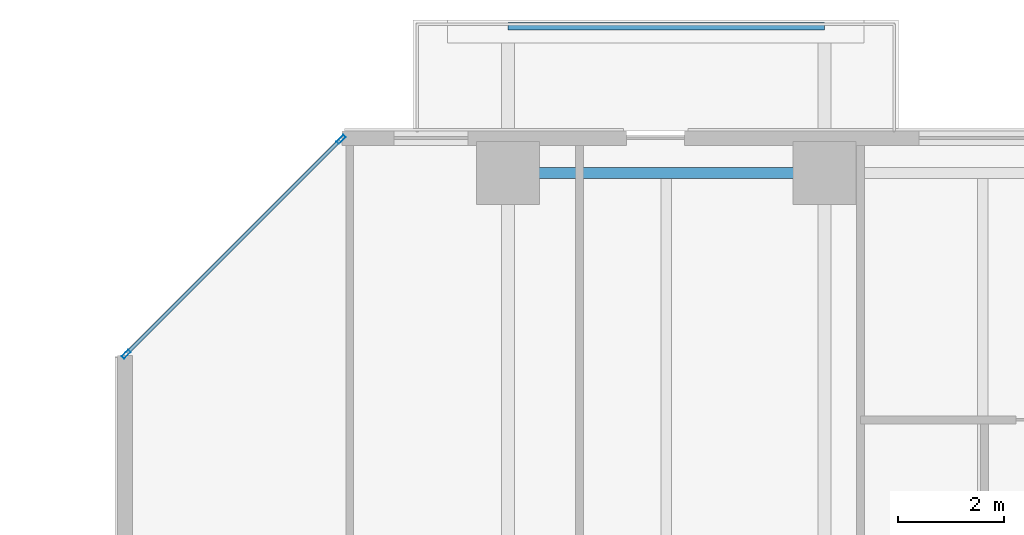
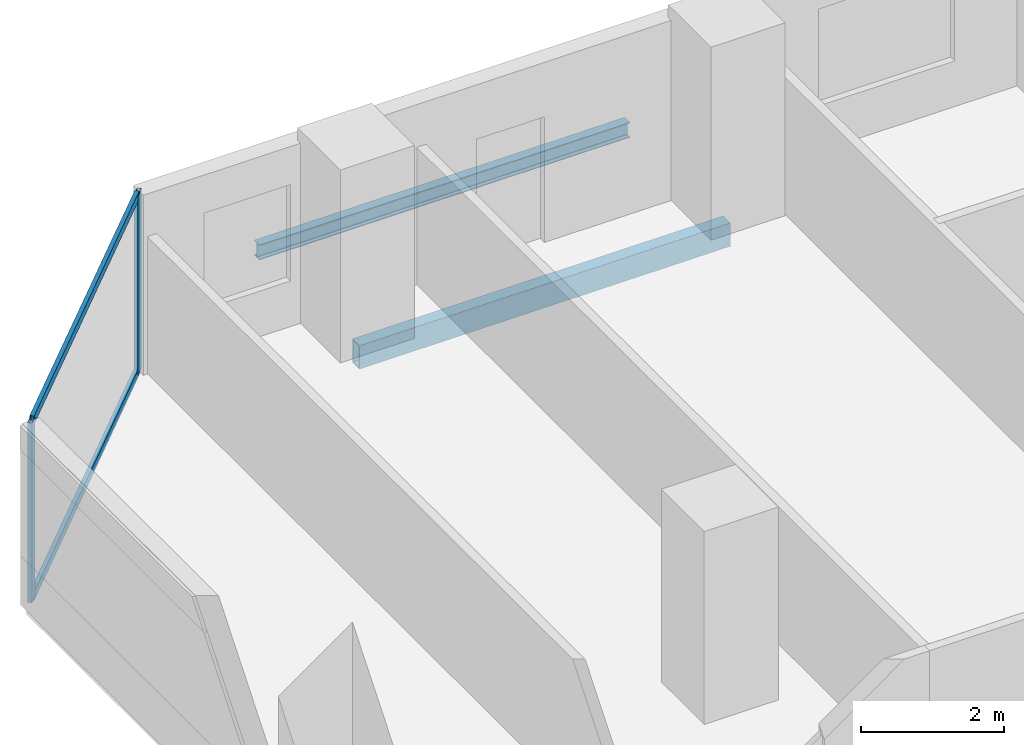
# One storey, part 8 of 33: 4 members, 2 beams, 1 element without a shape of its own.
"""IFC4 building model written with IfcOpenShell, lengths in metres."""

import ifcopenshell
import ifcopenshell.guid

model = None  # the IFC model being written
_history = None  # IfcOwnerHistory: only IFC2X3 demands one
_inside = {}  # id of a spatial element -> (the spatial element, [elements in it])
_under = {}  # id of a project, library or spatial element -> (it, [spatial elements below it])
_declared = {}  # id of a project -> (the project, [libraries it declares])
_typed = {}  # id of a type object -> (the type object, [elements of that type])
_made_of = {}  # id of a material, layer set ... -> (it, [elements and type objects made of it])


def new_model(schema):
    """Start an empty IFC model of exactly this schema.

    Asked for "IFC4X3", IfcOpenShell would pick the latest addendum, in which some entities
    have other attributes; the version numbers below select the first issue.
    IFC2X3 requires an IfcOwnerHistory on every rooted entity: one is made here for all.
    """
    global model, _history
    if schema == "IFC4X3":
        model = ifcopenshell.file(schema_version=(4, 3, 0, 0))
    else:
        model = ifcopenshell.file(schema=schema)
    _inside.clear()
    _under.clear()
    _declared.clear()
    _typed.clear()
    _made_of.clear()
    _history = None
    if model.schema == "IFC2X3":
        org = make("IfcOrganization", Name="unknown")
        user = make(
            "IfcPersonAndOrganization",
            ThePerson=make("IfcPerson", FamilyName="unknown"),
            TheOrganization=org,
        )
        app = make(
            "IfcApplication",
            ApplicationDeveloper=org,
            Version="unknown",
            ApplicationFullName="unknown",
            ApplicationIdentifier="unknown",
        )
        _history = make(
            "IfcOwnerHistory",
            OwningUser=user,
            OwningApplication=app,
            ChangeAction="ADDED",
            CreationDate=0,
        )
    return model


def make(cls, **values):
    """One entity of the class cls with the attributes given. An attribute that is None is left unset."""
    return model.create_entity(
        cls, **{name: value for name, value in values.items() if value is not None}
    )


def rooted(cls, **values):
    """An entity with a GlobalId (a new one), such as an element, a storey or a relation."""
    return make(cls, GlobalId=ifcopenshell.guid.new(), OwnerHistory=_history, **values)


def si_unit(unit_type, name, prefix=None):
    """IfcSIUnit, for example si_unit("LENGTHUNIT", "METRE", prefix="MILLI")."""
    return make("IfcSIUnit", UnitType=unit_type, Prefix=prefix, Name=name)


def assignment(units):
    """IfcUnitAssignment: the units of a project."""
    return None if units is None else make("IfcUnitAssignment", Units=units)


def point(xyz):
    """IfcCartesianPoint."""
    return None if xyz is None else make("IfcCartesianPoint", Coordinates=xyz)


def direction(xyz):
    """IfcDirection."""
    return None if xyz is None else make("IfcDirection", DirectionRatios=xyz)


def frame(location, z_axis=None, x_axis=None):
    """IfcAxis2Placement3D, a coordinate frame: its origin and axes. An axis left out is left unset."""
    return make(
        "IfcAxis2Placement3D",
        Location=point(location),
        Axis=direction(z_axis),
        RefDirection=direction(x_axis),
    )


def frame_2d(location, x_axis=None):
    """IfcAxis2Placement2D, a coordinate frame in the plane: its origin and x axis."""
    return make(
        "IfcAxis2Placement2D", Location=point(location), RefDirection=direction(x_axis)
    )


def origin():
    """The frame at (0, 0, 0) with its axes left unset."""
    return frame((0.0, 0.0, 0.0))


def origin_2d():
    """The frame at (0, 0) in the plane with its x axis left unset."""
    return frame_2d((0.0, 0.0))


def place(relative_to, where):
    """IfcLocalPlacement: puts the frame where relative to a parent placement (None: the world)."""
    return make(
        "IfcLocalPlacement", PlacementRelTo=relative_to, RelativePlacement=where
    )


def context(
    kind, dimensions, precision=None, world=None, true_north=None, identifier=None
):
    """IfcGeometricRepresentationContext, for example the 3D "Model" context."""
    return make(
        "IfcGeometricRepresentationContext",
        ContextIdentifier=identifier,
        ContextType=kind,
        CoordinateSpaceDimension=dimensions,
        Precision=precision,
        WorldCoordinateSystem=world,
        TrueNorth=true_north,
    )


def subcontext(parent, identifier, kind, view, scale=None):
    """IfcGeometricRepresentationSubContext, for example "Body" below "Model"."""
    return make(
        "IfcGeometricRepresentationSubContext",
        ContextIdentifier=identifier,
        ContextType=kind,
        ParentContext=parent,
        TargetScale=scale,
        TargetView=view,
    )


def project(units=None, contexts=None):
    """IfcProject with its units and contexts."""
    return rooted(
        "IfcProject",
        Name="project",
        RepresentationContexts=contexts,
        UnitsInContext=assignment(units),
    )


def spatial(cls, under=None, at=None, **own):
    """A site, building, storey or space (cls), placed at a placement, below another one or the project."""
    s = rooted(cls, ObjectPlacement=at, **own)
    if under is not None:
        _under.setdefault(under.id(), (under, []))[1].append(s)
    return s


def profile(cls, at=None, kind="AREA", **sizes):
    """A parametric profile (cls). Its sizes go by their IFC names, for example OverallWidth=200.0."""
    return make(cls, ProfileType=kind, Position=at, **sizes)


def hollow_rectangle(**sizes):
    """IfcRectangleHollowProfileDef."""
    return profile("IfcRectangleHollowProfileDef", **sizes)


def i_section(**sizes):
    """IfcIShapeProfileDef."""
    return profile("IfcIShapeProfileDef", **sizes)


def extrude(swept, where, along, depth):
    """IfcExtrudedAreaSolid: the profile swept, set in the frame where, extruded along a direction by depth."""
    return make(
        "IfcExtrudedAreaSolid",
        SweptArea=swept,
        Position=where,
        ExtrudedDirection=direction(along),
        Depth=depth,
    )


def shape(context_of_items, identifier, shape_type, items):
    """IfcShapeRepresentation: the items that make up one representation, for example the "Body"."""
    return make(
        "IfcShapeRepresentation",
        ContextOfItems=context_of_items,
        RepresentationIdentifier=identifier,
        RepresentationType=shape_type,
        Items=items,
    )


def material(Name=None, Category=None):
    """IfcMaterial."""
    return make("IfcMaterial", Name=Name, Category=Category)


def layer(
    of_material, thickness, ventilated=None, Name=None, Category=None, Priority=None
):
    """IfcMaterialLayer: one layer of a wall or slab, of a material (None: an air gap)."""
    return make(
        "IfcMaterialLayer",
        Material=of_material,
        LayerThickness=thickness,
        IsVentilated=ventilated,
        Name=Name,
        Category=Category,
        Priority=Priority,
    )


def layer_set(layers, Name=None):
    """IfcMaterialLayerSet."""
    return make("IfcMaterialLayerSet", MaterialLayers=layers, LayerSetName=Name)


def material_profile(
    of_material, cross_section, Name=None, Category=None, Priority=None
):
    """IfcMaterialProfile: a cross section and its material."""
    return make(
        "IfcMaterialProfile",
        Name=Name,
        Material=of_material,
        Profile=cross_section,
        Priority=Priority,
        Category=Category,
    )


def profile_set(profiles, Name=None, composite=None):
    """IfcMaterialProfileSet."""
    return make(
        "IfcMaterialProfileSet",
        Name=Name,
        MaterialProfiles=profiles,
        CompositeProfile=composite,
    )


def made_of(thing, what):
    """Note that an element or type object is made of a material, layer set ...; save() writes the relation."""
    if what is not None:
        _made_of.setdefault(what.id(), (what, []))[1].append(thing)
    return thing


def type_object(cls, material=None, **own):
    """A type object (cls), such as IfcWallType, which elements share."""
    return made_of(rooted(cls, **own), material)


def element(
    cls,
    number,
    at=None,
    inside=None,
    cuts=None,
    type_object=None,
    material=None,
    context=None,
    identifier="Body",
    shape_type=None,
    held_by="IfcProductDefinitionShape",
    body=None,
    shapes=None,
    **own,
):
    """One element of the class cls, such as IfcWall. Its Tag is "e" and its number.

    at: its placement. inside: the storey or other place that contains it. cuts: it is an
    opening in that element (IfcRelVoidsElement). A single representation is given by context,
    identifier, shape_type and body (its items); several are given by shapes. held_by: the class
    of the entity that holds the representations. save() writes the other relations.
    """
    e = rooted(cls, Tag="e%d" % number, ObjectPlacement=at, **own)
    if body is not None:
        shapes = [shape(context, identifier, shape_type, body)]
    if shapes is not None:
        e.Representation = make(held_by, Representations=shapes)
    if inside is not None:
        _inside.setdefault(inside.id(), (inside, []))[1].append(e)
    if cuts is not None:
        rooted(
            "IfcRelVoidsElement", RelatingBuildingElement=cuts, RelatedOpeningElement=e
        )
    if type_object is not None:
        _typed.setdefault(type_object.id(), (type_object, []))[1].append(e)
    return made_of(e, material)


def aggregate(whole, parts):
    """IfcRelAggregates: a whole, such as a stair, and the parts it consists of."""
    return rooted("IfcRelAggregates", RelatingObject=whole, RelatedObjects=parts)


def save(model, path):
    """Write the relations noted so far, then the file.

    IfcRelAggregates (storeys below a building ...), IfcRelContainedInSpatialStructure (elements
    in a storey), IfcRelDefinesByType, IfcRelAssociatesMaterial and IfcRelDeclares: one each for
    every whole, place, type object, material and project.
    """
    for whole, parts in _under.values():
        aggregate(whole, parts)
    for where, things in _inside.values():
        rooted(
            "IfcRelContainedInSpatialStructure",
            RelatedElements=things,
            RelatingStructure=where,
        )
    for kind, things in _typed.values():
        rooted("IfcRelDefinesByType", RelatedObjects=things, RelatingType=kind)
    for what, things in _made_of.values():
        rooted("IfcRelAssociatesMaterial", RelatedObjects=things, RelatingMaterial=what)
    for by, libraries in _declared.values():
        rooted("IfcRelDeclares", RelatingContext=by, RelatedDefinitions=libraries)
    model.write(path)


model = new_model("IFC4")

# Units and contexts
model_context = context("Model", 3, precision=1e-05, world=origin(), true_north=direction((0.0, 1.0)))
body_context = subcontext(model_context, "Body", "Model", "MODEL_VIEW")
ifc_project = project(units=[si_unit("LENGTHUNIT", "METRE"), si_unit("AREAUNIT", "SQUARE_METRE"), si_unit("VOLUMEUNIT", "CUBIC_METRE"), si_unit("PLANEANGLEUNIT", "RADIAN"), si_unit("MASSUNIT", "GRAM", prefix="KILO")], contexts=[model_context])

# Site, building, storey
site_placement = place(None, origin())
site = spatial("IfcSite", under=ifc_project, at=site_placement, CompositionType="ELEMENT")
building_placement = place(site_placement, origin())
building = spatial("IfcBuilding", under=site, at=building_placement, Name="Tanjung Sevakor Pilgrim Tower", CompositionType="ELEMENT")
storey_placement = place(building_placement, frame((0.0, 0.0, 38.93994140625)))
storey = spatial("IfcBuildingStorey", under=building, at=storey_placement, Name="L10", CompositionType="ELEMENT", Elevation=38.93994140625)

# Beams
ifc_material_1 = material(Name="Steel S355J2", Category="steel")
ifc_material_profile_1 = material_profile(ifc_material_1, i_section(OverallWidth=0.146484375, OverallDepth=0.256103515625, WebThickness=0.00634765625, FlangeThickness=0.010986328125, FilletRadius=0.007568359375, at=origin_2d()))
ifc_profile_set_1 = profile_set([ifc_material_profile_1], Name="Steel S355J2")
beam_type_1 = type_object("IfcBeamType", Name="BM-B-J6-UB_254x146x37", PredefinedType="JOIST", material=ifc_profile_set_1)
beam_1_placement = place(storey_placement, frame((24.0, 61.580078125, -0.327880859375), z_axis=(1.0, 0.0, 0.0), x_axis=(0.0, 1.0, 0.0)))
element("IfcBeam", 1, at=beam_1_placement, inside=storey, type_object=beam_type_1, Name="L10 Balcony Rim Tie MAIN-N1", PredefinedType="JOIST", context=body_context, shape_type="SweptSolid", body=[
    extrude(i_section(OverallWidth=0.146484375, OverallDepth=0.256103515625, WebThickness=0.00634765625, FlangeThickness=0.010986328125, FilletRadius=0.007568359375, at=origin_2d()), origin(), (0.0, 0.0, 1.0), 6.0),
])
ifc_material_2 = material(Name="Steel S355J2", Category="steel")
ifc_material_profile_2 = material_profile(ifc_material_2, hollow_rectangle(XDim=0.199951171875, YDim=0.39990234375, WallThickness=0.01611328125, at=origin_2d()))
ifc_profile_set_2 = profile_set([ifc_material_profile_2], Name="Steel S355J2")
beam_type_2 = type_object("IfcBeamType", Name="BM-B-SP2-RHS_400x200x16", PredefinedType="SPANDREL", material=ifc_profile_set_2)
beam_2_placement = place(storey_placement, frame((24.0, 58.800048828125, -0.419921875), z_axis=(1.0, 0.0, 0.0), x_axis=(0.0, 1.0, 0.0)))
element("IfcBeam", 2, at=beam_2_placement, inside=storey, type_object=beam_type_2, Name="L10 Spandrel MAIN N-02", PredefinedType="SPANDREL", context=body_context, shape_type="SweptSolid", body=[
    extrude(hollow_rectangle(XDim=0.199951171875, YDim=0.39990234375, WallThickness=0.01611328125, at=origin_2d()), origin(), (0.0, 0.0, 1.0), 6.0),
])

# Curtain wall, members
ifc_material_3 = material(Name="Aluminium 6063-T6 and Low-E Glass", Category="aluminium")
ifc_layer = layer(ifc_material_3, 0.179931640625)
ifc_layer_set = layer_set([ifc_layer], Name="CW-SYS-CHAM")
curtain_wall_type = type_object("IfcCurtainWallType", Name="CW-SYS-CHAM", PredefinedType="NOTDEFINED", material=ifc_layer_set)
curtain_wall_placement = place(storey_placement, origin())
curtain_wall = element("IfcCurtainWall", 3, at=curtain_wall_placement, inside=storey, type_object=curtain_wall_type, Name="L10 Curtain Wall CW-CHM-L10-MAIN-13", PredefinedType="NOTDEFINED")
ifc_material_4 = material(Name="Aluminium 6063-T6", Category="aluminium")
ifc_material_profile_3 = material_profile(ifc_material_4, hollow_rectangle(XDim=0.06494140625, YDim=0.179931640625, WallThickness=0.00390625, at=origin_2d()))
ifc_profile_set_3 = profile_set([ifc_material_profile_3], Name="Aluminium 6063-T6")
member_type_1 = type_object("IfcMemberType", Name="TYPE-CWM-1", PredefinedType="MULLION", material=ifc_profile_set_3)
member_1_placement = place(storey_placement, frame((20.8349609375, 59.43701171875, 0.0), z_axis=(0.0, 0.0, 1.0), x_axis=(0.707106781187, -0.707106781187, 0.0)))
member_1 = element("IfcMember", 4, at=member_1_placement, type_object=member_type_1, Name="CW-CHM mullion 1", PredefinedType="MULLION", context=body_context, shape_type="SweptSolid", body=[
    extrude(hollow_rectangle(XDim=0.06494140625, YDim=0.179931640625, WallThickness=0.00390625, at=origin_2d()), origin(), (0.0, 0.0, 1.0), 3.080078125),
])
member_2_placement = place(storey_placement, frame((16.762939453125, 55.364990234375, 0.0), z_axis=(0.0, 0.0, 1.0), x_axis=(0.707106781187, -0.707106781187, 0.0)))
member_2 = element("IfcMember", 5, at=member_2_placement, type_object=member_type_1, Name="CW-CHM mullion 2", PredefinedType="MULLION", context=body_context, shape_type="SweptSolid", body=[
    extrude(hollow_rectangle(XDim=0.06494140625, YDim=0.179931640625, WallThickness=0.00390625, at=origin_2d()), origin(), (0.0, 0.0, 1.0), 3.080078125),
])
ifc_material_5 = material(Name="Aluminium 6063-T6", Category="aluminium")
ifc_material_profile_4 = material_profile(ifc_material_5, hollow_rectangle(XDim=0.06494140625, YDim=0.139892578125, WallThickness=0.00390625, at=origin_2d()))
ifc_profile_set_4 = profile_set([ifc_material_profile_4], Name="Aluminium 6063-T6")
member_type_2 = type_object("IfcMemberType", Name="TYPE-CWT-1", PredefinedType="USERDEFINED", material=ifc_profile_set_4)
member_3_placement = place(storey_placement, frame((20.81201171875, 59.4140625, 0.032470703125), z_axis=(-0.707106781187, -0.707106781187, 0.0), x_axis=(0.707106781187, -0.707106781187, 0.0)))
member_3 = element("IfcMember", 6, at=member_3_placement, type_object=member_type_2, Name="CW-CHM transom 1.1", ObjectType="TRANSOM", PredefinedType="USERDEFINED", context=body_context, shape_type="SweptSolid", body=[
    extrude(hollow_rectangle(XDim=0.06494140625, YDim=0.139892578125, WallThickness=0.00390625, at=origin_2d()), origin(), (0.0, 0.0, 1.0), 5.69384765625),
])
member_4_placement = place(storey_placement, frame((20.81201171875, 59.4140625, 3.047607421875), z_axis=(-0.707106781187, -0.707106781187, 0.0), x_axis=(0.707106781187, -0.707106781187, 0.0)))
member_4 = element("IfcMember", 7, at=member_4_placement, type_object=member_type_2, Name="CW-CHM transom 1.2", ObjectType="TRANSOM", PredefinedType="USERDEFINED", context=body_context, shape_type="SweptSolid", body=[
    extrude(hollow_rectangle(XDim=0.06494140625, YDim=0.139892578125, WallThickness=0.00390625, at=origin_2d()), origin(), (0.0, 0.0, 1.0), 5.69384765625),
])
aggregate(curtain_wall, [member_1, member_2, member_3, member_4])

save(model, "model.ifc")
